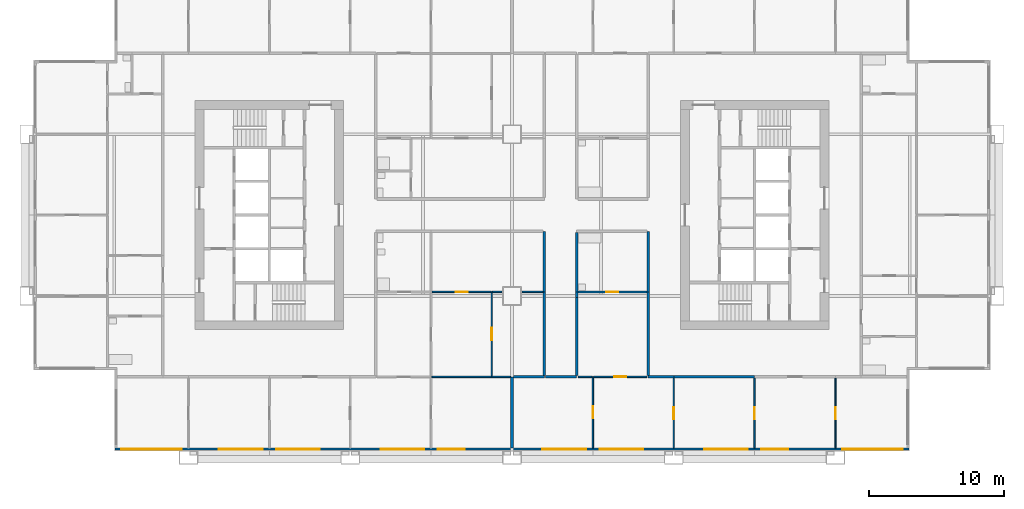
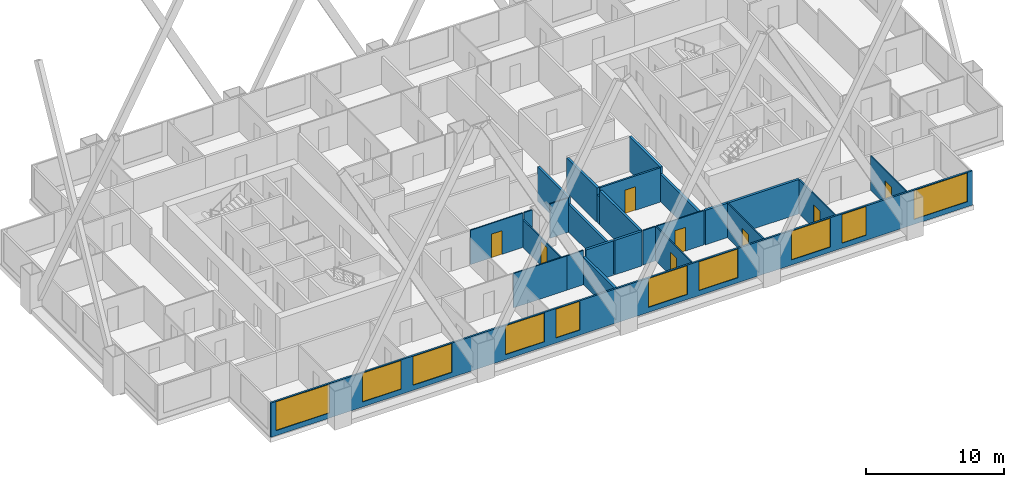
# One storey, part 5 of 11: 26 walls, 10 windows, 8 doors, 18 openings.
"""IFC4 building model written with IfcOpenShell, lengths in metres."""

from ifc_helpers import new_model, si_unit, direction, frame, frame_2d, origin, place, context, subcontext, project, spatial, rectangle, extrude, material, layer, layer_set, type_object, element, fill, save


model = new_model("IFC4")

# Units and contexts
model_context = context("Model", 3, precision=1e-05, world=origin(), true_north=direction((0.0, 1.0)))
body_context = subcontext(model_context, "Body", "Model", "MODEL_VIEW")
ifc_project = project(units=[si_unit("LENGTHUNIT", "METRE"), si_unit("AREAUNIT", "SQUARE_METRE"), si_unit("VOLUMEUNIT", "CUBIC_METRE"), si_unit("PLANEANGLEUNIT", "RADIAN"), si_unit("MASSUNIT", "GRAM", prefix="KILO")], contexts=[model_context])

# Site, building, storey
site_placement = place(None, origin())
site = spatial("IfcSite", under=ifc_project, at=site_placement, CompositionType="ELEMENT")
building_placement = place(site_placement, origin())
building = spatial("IfcBuilding", under=site, at=building_placement, Name="Kitamizu Gate Tower and Museum", CompositionType="ELEMENT")
storey_placement = place(building_placement, frame((0.0, 0.0, 131.10009765625)))
storey = spatial("IfcBuildingStorey", under=building, at=storey_placement, Name="L34", CompositionType="ELEMENT", Elevation=131.10009765625)

# Walls
ifc_material_1 = material(Name="Gypsum board on galvanised stud")
ifc_layer_1 = layer(ifc_material_1, 0.10009765625)
ifc_layer_set_1 = layer_set([ifc_layer_1], Name="Gypsum board on galvanised stud")
wall_type_1 = type_object("IfcWallType", Name="Partition 100 NOT RATED", PredefinedType="PARTITIONING", material=ifc_layer_set_1)
wall_1_placement = place(storey_placement, frame((34.5, 18.0, 0.0), z_axis=(0.0, 0.0, 1.0), x_axis=(-1.0, 0.0, 0.0)))
element("IfcWall", 1, at=wall_1_placement, inside=storey, type_object=wall_type_1, Name="Partition L34-011", PredefinedType="PARTITIONING", context=body_context, shape_type="SweptSolid", body=[
    extrude(rectangle(XDim=4.449951171875, YDim=0.10009765625, at=frame_2d((2.22509765625, 0.0))), origin(), (0.0, 0.0, 1.0), 3.0498046875),
])
wall_2_placement = place(storey_placement, frame((35.89990234375, 18.0, 0.0), z_axis=(0.0, 0.0, 1.0), x_axis=(-1.0, 0.0, 0.0)))
element("IfcWall", 2, at=wall_2_placement, inside=storey, type_object=wall_type_1, Name="Partition L34-012", PredefinedType="PARTITIONING", context=body_context, shape_type="SweptSolid", body=[
    extrude(rectangle(XDim=1.39990234375, YDim=0.10009765625, at=frame_2d((0.699951171875, 0.0))), origin(), (0.0, 0.0, 1.0), 3.0498046875),
])

# Wall, opening, door
wall_3_placement = place(storey_placement, frame((34.5, 18.050048828125, 0.0), z_axis=(0.0, 0.0, 1.0), x_axis=(0.0, 1.0, 0.0)))
wall_3 = element("IfcWall", 3, at=wall_3_placement, inside=storey, type_object=wall_type_1, Name="Partition L34-018", PredefinedType="PARTITIONING", context=body_context, shape_type="SweptSolid", body=[
    extrude(rectangle(XDim=6.25, YDim=0.10009765625, at=frame_2d((3.125, 0.0))), origin(), (0.0, 0.0, 1.0), 2.449951171875),
])
opening_1_placement = place(wall_3_placement, frame((2.675048828125, 0.0, 0.0)))
opening_1 = element("IfcOpeningElement", 4, at=opening_1_placement, cuts=wall_3, Name="Opening L34-009", PredefinedType="OPENING", context=body_context, shape_type="SweptSolid", body=[
    extrude(rectangle(XDim=0.89990234375, YDim=2.10009765625, at=frame_2d((0.449951171875, 1.050048828125))), frame((0.0, 0.06005859375, 0.0), z_axis=(0.0, -1.0, 0.0), x_axis=(1.0, 0.0, 0.0)), (0.0, 0.0, 1.0), 0.1201171875),
])
ifc_material_2 = material(Name="Timber door set", Category="wood")
door_type_1 = type_object("IfcDoorType", Name="Room door 900", OperationType="NOTDEFINED", PredefinedType="DOOR", material=ifc_material_2)
door_1_placement = place(opening_1_placement, frame((0.89990234375, 0.0, 0.0), x_axis=(-1.0, 0.0, 0.0)))
door_1 = element("IfcDoor", 5, at=door_1_placement, inside=storey, type_object=door_type_1, Name="Door L34-009", OperationType="SINGLE_SWING_LEFT", OverallHeight=2.10009765625, OverallWidth=0.89990234375, PredefinedType="DOOR", context=body_context, shape_type="SweptSolid", body=[
    extrude(rectangle(XDim=0.89990234375, YDim=2.10009765625, at=frame_2d((0.449951171875, 1.050048828125))), frame((0.0, 0.02490234375, 0.0), z_axis=(0.0, -1.0, 0.0), x_axis=(1.0, 0.0, 0.0)), (0.0, 0.0, 1.0), 0.050048828125),
])
fill(opening_1, door_1)

wall_4_placement = place(storey_placement, frame((34.449951171875, 24.300048828125, 0.0), z_axis=(0.0, 0.0, 1.0), x_axis=(-1.0, 0.0, 0.0)))
wall_4 = element("IfcWall", 6, at=wall_4_placement, inside=storey, type_object=wall_type_1, Name="Partition L34-019", PredefinedType="PARTITIONING", context=body_context, shape_type="SweptSolid", body=[
    extrude(rectangle(XDim=4.375, YDim=0.10009765625, at=frame_2d((2.1875, 0.0))), origin(), (0.0, 0.0, 1.0), 3.0498046875),
])
opening_2_placement = place(wall_4_placement, frame((1.737548828125, 0.0, 0.0)))
opening_2 = element("IfcOpeningElement", 7, at=opening_2_placement, cuts=wall_4, Name="Opening L34-010", PredefinedType="OPENING", context=body_context, shape_type="SweptSolid", body=[
    extrude(rectangle(XDim=0.89990234375, YDim=2.10009765625, at=frame_2d((0.449951171875, 1.050048828125))), frame((0.0, 0.06005859375, 0.0), z_axis=(0.0, -1.0, 0.0), x_axis=(1.0, 0.0, 0.0)), (0.0, 0.0, 1.0), 0.1201171875),
])
door_2_placement = place(opening_2_placement, origin())
door_2 = element("IfcDoor", 8, at=door_2_placement, inside=storey, type_object=door_type_1, Name="Door L34-010", OperationType="SINGLE_SWING_LEFT", OverallHeight=2.10009765625, OverallWidth=0.89990234375, PredefinedType="DOOR", context=body_context, shape_type="SweptSolid", body=[
    extrude(rectangle(XDim=0.89990234375, YDim=2.10009765625, at=frame_2d((0.449951171875, 1.050048828125))), frame((0.0, 0.02490234375, 0.0), z_axis=(0.0, -1.0, 0.0), x_axis=(1.0, 0.0, 0.0)), (0.0, 0.0, 1.0), 0.050048828125),
])
fill(opening_2, door_2)

# Walls
wall_5_placement = place(storey_placement, frame((35.25, 24.300048828125, 0.0), z_axis=(0.0, 0.0, 1.0), x_axis=(-1.0, 0.0, 0.0)))
element("IfcWall", 9, at=wall_5_placement, inside=storey, type_object=wall_type_1, Name="Partition L34-020", PredefinedType="PARTITIONING", context=body_context, shape_type="SweptSolid", body=[
    extrude(rectangle(XDim=0.699951171875, YDim=0.10009765625, at=frame_2d((0.35009765625, 0.0))), origin(), (0.0, 0.0, 1.0), 3.0498046875),
])
wall_6_placement = place(storey_placement, frame((38.300048828125, 24.300048828125, 0.0), z_axis=(0.0, 0.0, 1.0), x_axis=(-1.0, 0.0, 0.0)))
element("IfcWall", 10, at=wall_6_placement, inside=storey, type_object=wall_type_1, Name="Partition L34-021", PredefinedType="PARTITIONING", context=body_context, shape_type="SweptSolid", body=[
    extrude(rectangle(XDim=1.550048828125, YDim=0.10009765625, at=frame_2d((0.77490234375, 0.0))), origin(), (0.0, 0.0, 1.0), 3.0498046875),
])

# Wall, opening, door
wall_7_placement = place(storey_placement, frame((42.0, 12.719970703125, 0.0), z_axis=(0.0, 0.0, 1.0), x_axis=(0.0, 1.0, 0.0)))
wall_7 = element("IfcWall", 11, at=wall_7_placement, inside=storey, type_object=wall_type_1, Name="Partition L34-030", PredefinedType="PARTITIONING", context=body_context, shape_type="SweptSolid", body=[
    extrude(rectangle(XDim=5.280029296875, YDim=0.10009765625, at=frame_2d((2.64013671875, 0.0))), origin(), (0.0, 0.0, 1.0), 3.0498046875),
])
opening_3_placement = place(wall_7_placement, frame((2.18994140625, 0.0, 0.0)))
opening_3 = element("IfcOpeningElement", 12, at=opening_3_placement, cuts=wall_7, Name="Opening L34-017", PredefinedType="OPENING", context=body_context, shape_type="SweptSolid", body=[
    extrude(rectangle(XDim=0.89990234375, YDim=2.10009765625, at=frame_2d((0.449951171875, 1.050048828125))), frame((0.0, 0.06005859375, 0.0), z_axis=(0.0, -1.0, 0.0), x_axis=(1.0, 0.0, 0.0)), (0.0, 0.0, 1.0), 0.1201171875),
])
door_3_placement = place(opening_3_placement, origin())
door_3 = element("IfcDoor", 13, at=door_3_placement, inside=storey, type_object=door_type_1, Name="Door L34-017", OperationType="SINGLE_SWING_RIGHT", OverallHeight=2.10009765625, OverallWidth=0.89990234375, PredefinedType="DOOR", context=body_context, shape_type="SweptSolid", body=[
    extrude(rectangle(XDim=0.89990234375, YDim=2.10009765625, at=frame_2d((0.449951171875, 1.050048828125))), frame((0.0, 0.02490234375, 0.0), z_axis=(0.0, -1.0, 0.0), x_axis=(1.0, 0.0, 0.0)), (0.0, 0.0, 1.0), 0.050048828125),
])
fill(opening_3, door_3)

# Wall
wall_8_placement = place(storey_placement, frame((41.949951171875, 18.0, 0.0), z_axis=(0.0, 0.0, 1.0), x_axis=(-1.0, 0.0, 0.0)))
element("IfcWall", 14, at=wall_8_placement, inside=storey, type_object=wall_type_1, Name="Partition L34-031", PredefinedType="PARTITIONING", context=body_context, shape_type="SweptSolid", body=[
    extrude(rectangle(XDim=1.050048828125, YDim=0.10009765625, at=frame_2d((0.52490234375, 0.0))), origin(), (0.0, 0.0, 1.0), 3.0498046875),
])

# Wall, opening, door
wall_9_placement = place(storey_placement, frame((48.0, 12.719970703125, 0.0), z_axis=(0.0, 0.0, 1.0), x_axis=(0.0, 1.0, 0.0)))
wall_9 = element("IfcWall", 15, at=wall_9_placement, inside=storey, type_object=wall_type_1, Name="Partition L34-033", PredefinedType="PARTITIONING", context=body_context, shape_type="SweptSolid", body=[
    extrude(rectangle(XDim=5.179931640625, YDim=0.10009765625, at=frame_2d((2.58984375, 0.0))), origin(), (0.0, 0.0, 1.0), 3.0498046875),
])
opening_4_placement = place(wall_9_placement, frame((2.139892578125, 0.0, 0.0)))
opening_4 = element("IfcOpeningElement", 16, at=opening_4_placement, cuts=wall_9, Name="Opening L34-014", PredefinedType="OPENING", context=body_context, shape_type="SweptSolid", body=[
    extrude(rectangle(XDim=0.89990234375, YDim=2.10009765625, at=frame_2d((0.449951171875, 1.050048828125))), frame((0.0, 0.06005859375, 0.0), z_axis=(0.0, -1.0, 0.0), x_axis=(1.0, 0.0, 0.0)), (0.0, 0.0, 1.0), 0.1201171875),
])
door_4_placement = place(opening_4_placement, origin())
door_4 = element("IfcDoor", 17, at=door_4_placement, inside=storey, type_object=door_type_1, Name="Door L34-014", OperationType="SINGLE_SWING_LEFT", OverallHeight=2.10009765625, OverallWidth=0.89990234375, PredefinedType="DOOR", context=body_context, shape_type="SweptSolid", body=[
    extrude(rectangle(XDim=0.89990234375, YDim=2.10009765625, at=frame_2d((0.449951171875, 1.050048828125))), frame((0.0, 0.02490234375, 0.0), z_axis=(0.0, -1.0, 0.0), x_axis=(1.0, 0.0, 0.0)), (0.0, 0.0, 1.0), 0.050048828125),
])
fill(opening_4, door_4)

wall_10_placement = place(storey_placement, frame((46.0, 18.0, 0.0), z_axis=(0.0, 0.0, 1.0), x_axis=(-1.0, 0.0, 0.0)))
wall_10 = element("IfcWall", 18, at=wall_10_placement, inside=storey, type_object=wall_type_1, Name="Partition L34-034", PredefinedType="PARTITIONING", context=body_context, shape_type="SweptSolid", body=[
    extrude(rectangle(XDim=3.949951171875, YDim=0.10009765625, at=frame_2d((1.97509765625, 0.0))), origin(), (0.0, 0.0, 1.0), 3.0498046875),
])
opening_5_placement = place(wall_10_placement, frame((1.52490234375, 0.0, 0.0)))
opening_5 = element("IfcOpeningElement", 19, at=opening_5_placement, cuts=wall_10, Name="Opening L34-015", PredefinedType="OPENING", context=body_context, shape_type="SweptSolid", body=[
    extrude(rectangle(XDim=0.89990234375, YDim=2.10009765625, at=frame_2d((0.449951171875, 1.050048828125))), frame((0.0, 0.06005859375, 0.0), z_axis=(0.0, -1.0, 0.0), x_axis=(1.0, 0.0, 0.0)), (0.0, 0.0, 1.0), 0.1201171875),
])
door_5_placement = place(opening_5_placement, origin())
door_5 = element("IfcDoor", 20, at=door_5_placement, inside=storey, type_object=door_type_1, Name="Door L34-015", OperationType="SINGLE_SWING_RIGHT", OverallHeight=2.10009765625, OverallWidth=0.89990234375, PredefinedType="DOOR", context=body_context, shape_type="SweptSolid", body=[
    extrude(rectangle(XDim=0.89990234375, YDim=2.10009765625, at=frame_2d((0.449951171875, 1.050048828125))), frame((0.0, 0.02490234375, 0.0), z_axis=(0.0, -1.0, 0.0), x_axis=(1.0, 0.0, 0.0)), (0.0, 0.0, 1.0), 0.050048828125),
])
fill(opening_5, door_5)

wall_11_placement = place(storey_placement, frame((54.0, 12.719970703125, 0.0), z_axis=(0.0, 0.0, 1.0), x_axis=(0.0, 1.0, 0.0)))
wall_11 = element("IfcWall", 21, at=wall_11_placement, inside=storey, type_object=wall_type_1, Name="Partition L34-036", PredefinedType="PARTITIONING", context=body_context, shape_type="SweptSolid", body=[
    extrude(rectangle(XDim=5.179931640625, YDim=0.10009765625, at=frame_2d((2.58984375, 0.0))), origin(), (0.0, 0.0, 1.0), 3.0498046875),
])
opening_6_placement = place(wall_11_placement, frame((2.139892578125, 0.0, 0.0)))
opening_6 = element("IfcOpeningElement", 22, at=opening_6_placement, cuts=wall_11, Name="Opening L34-012", PredefinedType="OPENING", context=body_context, shape_type="SweptSolid", body=[
    extrude(rectangle(XDim=0.89990234375, YDim=2.10009765625, at=frame_2d((0.449951171875, 1.050048828125))), frame((0.0, 0.06005859375, 0.0), z_axis=(0.0, -1.0, 0.0), x_axis=(1.0, 0.0, 0.0)), (0.0, 0.0, 1.0), 0.1201171875),
])
door_6_placement = place(opening_6_placement, origin())
door_6 = element("IfcDoor", 23, at=door_6_placement, inside=storey, type_object=door_type_1, Name="Door L34-012", OperationType="SINGLE_SWING_LEFT", OverallHeight=2.10009765625, OverallWidth=0.89990234375, PredefinedType="DOOR", context=body_context, shape_type="SweptSolid", body=[
    extrude(rectangle(XDim=0.89990234375, YDim=2.10009765625, at=frame_2d((0.449951171875, 1.050048828125))), frame((0.0, 0.02490234375, 0.0), z_axis=(0.0, -1.0, 0.0), x_axis=(1.0, 0.0, 0.0)), (0.0, 0.0, 1.0), 0.050048828125),
])
fill(opening_6, door_6)

wall_12_placement = place(storey_placement, frame((60.0, 12.719970703125, 0.0), z_axis=(0.0, 0.0, 1.0), x_axis=(0.0, 1.0, 0.0)))
wall_12 = element("IfcWall", 24, at=wall_12_placement, inside=storey, type_object=wall_type_1, Name="Partition L34-038", PredefinedType="PARTITIONING", context=body_context, shape_type="SweptSolid", body=[
    extrude(rectangle(XDim=5.179931640625, YDim=0.10009765625, at=frame_2d((2.58984375, 0.0))), origin(), (0.0, 0.0, 1.0), 3.0498046875),
])
opening_7_placement = place(wall_12_placement, frame((2.139892578125, 0.0, 0.0)))
opening_7 = element("IfcOpeningElement", 25, at=opening_7_placement, cuts=wall_12, Name="Opening L34-013", PredefinedType="OPENING", context=body_context, shape_type="SweptSolid", body=[
    extrude(rectangle(XDim=0.89990234375, YDim=2.10009765625, at=frame_2d((0.449951171875, 1.050048828125))), frame((0.0, 0.06005859375, 0.0), z_axis=(0.0, -1.0, 0.0), x_axis=(1.0, 0.0, 0.0)), (0.0, 0.0, 1.0), 0.1201171875),
])
door_7_placement = place(opening_7_placement, frame((0.89990234375, 0.0, 0.0), x_axis=(-1.0, 0.0, 0.0)))
door_7 = element("IfcDoor", 26, at=door_7_placement, inside=storey, type_object=door_type_1, Name="Door L34-013", OperationType="SINGLE_SWING_LEFT", OverallHeight=2.10009765625, OverallWidth=0.89990234375, PredefinedType="DOOR", context=body_context, shape_type="SweptSolid", body=[
    extrude(rectangle(XDim=0.89990234375, YDim=2.10009765625, at=frame_2d((0.449951171875, 1.050048828125))), frame((0.0, 0.02490234375, 0.0), z_axis=(0.0, -1.0, 0.0), x_axis=(1.0, 0.0, 0.0)), (0.0, 0.0, 1.0), 0.050048828125),
])
fill(opening_7, door_7)

ifc_material_3 = material(Name="Gypsum board on galvanised stud")
ifc_layer_2 = layer(ifc_material_3, 0.14990234375)
ifc_layer_set_2 = layer_set([ifc_layer_2], Name="Gypsum board on galvanised stud")
wall_type_2 = type_object("IfcWallType", Name="Partition 150", PredefinedType="PARTITIONING", material=ifc_layer_set_2)
wall_13_placement = place(storey_placement, frame((46.0, 24.300048828125, 0.0), z_axis=(0.0, 0.0, 1.0), x_axis=(-1.0, 0.0, 0.0)))
wall_13 = element("IfcWall", 27, at=wall_13_placement, inside=storey, type_object=wall_type_2, Name="Partition L34-042", PredefinedType="PARTITIONING", context=body_context, shape_type="SweptSolid", body=[
    extrude(rectangle(XDim=5.10009765625, YDim=0.14990234375, at=frame_2d((2.550048828125, 0.0))), origin(), (0.0, 0.0, 1.0), 3.0498046875),
])
opening_8_placement = place(wall_13_placement, frame((2.10009765625, 0.0, 0.0)))
opening_8 = element("IfcOpeningElement", 28, at=opening_8_placement, cuts=wall_13, Name="Opening L34-016", PredefinedType="OPENING", context=body_context, shape_type="SweptSolid", body=[
    extrude(rectangle(XDim=0.89990234375, YDim=2.10009765625, at=frame_2d((0.449951171875, 1.050048828125))), frame((0.0, 0.0849609375, 0.0), z_axis=(0.0, -1.0, 0.0), x_axis=(1.0, 0.0, 0.0)), (0.0, 0.0, 1.0), 0.169921875),
])
ifc_material_4 = material(Name="Timber door set", Category="wood")
door_type_2 = type_object("IfcDoorType", Name="Bathroom door 900", OperationType="NOTDEFINED", PredefinedType="DOOR", material=ifc_material_4)
door_8_placement = place(opening_8_placement, frame((0.89990234375, 0.0, 0.0), x_axis=(-1.0, 0.0, 0.0)))
door_8 = element("IfcDoor", 29, at=door_8_placement, inside=storey, type_object=door_type_2, Name="Bathroom door L34-016", OperationType="SINGLE_SWING_RIGHT", OverallHeight=2.10009765625, OverallWidth=0.89990234375, PredefinedType="DOOR", context=body_context, shape_type="SweptSolid", body=[
    extrude(rectangle(XDim=0.89990234375, YDim=2.10009765625, at=frame_2d((0.449951171875, 1.050048828125))), frame((0.0, 0.02490234375, 0.0), z_axis=(0.0, -1.0, 0.0), x_axis=(1.0, 0.0, 0.0)), (0.0, 0.0, 1.0), 0.050048828125),
])
fill(opening_8, door_8)

# Walls
ifc_material_5 = material(Name="Gypsum board on galvanised stud")
ifc_layer_3 = layer(ifc_material_5, 0.199951171875)
ifc_layer_set_3 = layer_set([ifc_layer_3], Name="Gypsum board on galvanised stud")
wall_type_3 = type_object("IfcWallType", Name="Partition 200", PredefinedType="PARTITIONING", material=ifc_layer_set_3)
wall_14_placement = place(storey_placement, frame((36.0, 12.719970703125, 0.0), z_axis=(0.0, 0.0, 1.0), x_axis=(0.0, 1.0, 0.0)))
element("IfcWall", 30, at=wall_14_placement, inside=storey, type_object=wall_type_3, Name="Partition L34-013", PredefinedType="PARTITIONING", context=body_context, shape_type="SweptSolid", body=[
    extrude(rectangle(XDim=5.280029296875, YDim=0.199951171875, at=frame_2d((2.64013671875, 0.0))), origin(), (0.0, 0.0, 1.0), 2.449951171875),
])
wall_15_placement = place(storey_placement, frame((36.10009765625, 18.0, 0.0), z_axis=(0.0, 0.0, 1.0), x_axis=(1.0, 0.0, 0.0)))
element("IfcWall", 31, at=wall_15_placement, inside=storey, type_object=wall_type_3, Name="Partition L34-022", PredefinedType="PARTITIONING", context=body_context, shape_type="SweptSolid", body=[
    extrude(rectangle(XDim=2.2998046875, YDim=0.199951171875, at=frame_2d((1.14990234375, 0.0))), origin(), (0.0, 0.0, 1.0), 3.0498046875),
])
wall_16_placement = place(storey_placement, frame((38.39990234375, 18.10009765625, 0.0), z_axis=(0.0, 0.0, 1.0), x_axis=(0.0, 1.0, 0.0)))
element("IfcWall", 32, at=wall_16_placement, inside=storey, type_object=wall_type_3, Name="Partition L34-023", PredefinedType="PARTITIONING", context=body_context, shape_type="SweptSolid", body=[
    extrude(rectangle(XDim=6.199951171875, YDim=0.199951171875, at=frame_2d((3.10009765625, 0.0))), origin(), (0.0, 0.0, 1.0), 2.449951171875),
])
wall_17_placement = place(storey_placement, frame((38.39990234375, 24.300048828125, 0.0), z_axis=(0.0, 0.0, 1.0), x_axis=(0.0, 1.0, 0.0)))
element("IfcWall", 33, at=wall_17_placement, inside=storey, type_object=wall_type_3, Name="Partition L34-027", PredefinedType="PARTITIONING", context=body_context, shape_type="SweptSolid", body=[
    extrude(rectangle(XDim=4.5, YDim=0.199951171875, at=frame_2d((2.25, 0.0))), origin(), (0.0, 0.0, 1.0), 3.0498046875),
])
wall_18_placement = place(storey_placement, frame((40.800048828125, 18.0, 0.0), z_axis=(0.0, 0.0, 1.0), x_axis=(-1.0, 0.0, 0.0)))
element("IfcWall", 34, at=wall_18_placement, inside=storey, type_object=wall_type_3, Name="Partition L34-032", PredefinedType="PARTITIONING", context=body_context, shape_type="SweptSolid", body=[
    extrude(rectangle(XDim=2.300048828125, YDim=0.199951171875, at=frame_2d((1.14990234375, 0.0))), origin(), (0.0, 0.0, 1.0), 3.0498046875),
])
wall_19_placement = place(storey_placement, frame((48.0, 18.0, 0.0), z_axis=(0.0, 0.0, 1.0), x_axis=(-1.0, 0.0, 0.0)))
element("IfcWall", 35, at=wall_19_placement, inside=storey, type_object=wall_type_3, Name="Partition L34-035", PredefinedType="PARTITIONING", context=body_context, shape_type="SweptSolid", body=[
    extrude(rectangle(XDim=1.89990234375, YDim=0.199951171875, at=frame_2d((0.949951171875, 0.0))), origin(), (0.0, 0.0, 1.0), 3.0498046875),
])
wall_20_placement = place(storey_placement, frame((54.0, 18.0, 0.0), z_axis=(0.0, 0.0, 1.0), x_axis=(-1.0, 0.0, 0.0)))
element("IfcWall", 36, at=wall_20_placement, inside=storey, type_object=wall_type_3, Name="Partition L34-037", PredefinedType="PARTITIONING", context=body_context, shape_type="SweptSolid", body=[
    extrude(rectangle(XDim=6.0, YDim=0.199951171875, at=frame_2d((3.0, 0.0))), origin(), (0.0, 0.0, 1.0), 3.0498046875),
])
wall_21_placement = place(storey_placement, frame((40.800048828125, 24.300048828125, 0.0), z_axis=(0.0, 0.0, 1.0), x_axis=(0.0, -1.0, 0.0)))
element("IfcWall", 37, at=wall_21_placement, inside=storey, type_object=wall_type_3, Name="Partition L34-043", PredefinedType="PARTITIONING", context=body_context, shape_type="SweptSolid", body=[
    extrude(rectangle(XDim=0.400146484375, YDim=0.199951171875, at=frame_2d((0.2001953125, 0.0))), origin(), (0.0, 0.0, 1.0), 2.449951171875),
])
wall_22_placement = place(storey_placement, frame((40.800048828125, 23.89990234375, 0.0), z_axis=(0.0, 0.0, 1.0), x_axis=(0.0, -1.0, 0.0)))
element("IfcWall", 38, at=wall_22_placement, inside=storey, type_object=wall_type_3, Name="Partition L34-044", PredefinedType="PARTITIONING", context=body_context, shape_type="SweptSolid", body=[
    extrude(rectangle(XDim=5.7998046875, YDim=0.199951171875, at=frame_2d((2.89990234375, 0.0))), origin(), (0.0, 0.0, 1.0), 3.0498046875),
])
wall_23_placement = place(storey_placement, frame((46.10009765625, 18.10009765625, 0.0), z_axis=(0.0, 0.0, 1.0), x_axis=(0.0, 1.0, 0.0)))
element("IfcWall", 39, at=wall_23_placement, inside=storey, type_object=wall_type_3, Name="Partition L34-045", PredefinedType="PARTITIONING", context=body_context, shape_type="SweptSolid", body=[
    extrude(rectangle(XDim=6.199951171875, YDim=0.199951171875, at=frame_2d((3.10009765625, 0.0))), origin(), (0.0, 0.0, 1.0), 2.449951171875),
])
wall_24_placement = place(storey_placement, frame((46.10009765625, 24.300048828125, 0.0), z_axis=(0.0, 0.0, 1.0), x_axis=(0.0, 1.0, 0.0)))
element("IfcWall", 40, at=wall_24_placement, inside=storey, type_object=wall_type_3, Name="Partition L34-046", PredefinedType="PARTITIONING", context=body_context, shape_type="SweptSolid", body=[
    extrude(rectangle(XDim=4.5, YDim=0.199951171875, at=frame_2d((2.25, 0.0))), origin(), (0.0, 0.0, 1.0), 3.0498046875),
])
wall_25_placement = place(storey_placement, frame((40.800048828125, 28.699951171875, 0.0), z_axis=(0.0, 0.0, 1.0), x_axis=(0.0, -1.0, 0.0)))
element("IfcWall", 41, at=wall_25_placement, inside=storey, type_object=wall_type_3, Name="Partition L34-048", PredefinedType="PARTITIONING", context=body_context, shape_type="SweptSolid", body=[
    extrude(rectangle(XDim=4.39990234375, YDim=0.199951171875, at=frame_2d((2.199951171875, 0.0))), origin(), (0.0, 0.0, 1.0), 3.0498046875),
])

# Wall, openings, windows
ifc_material_6 = material(Name="Bronze anodised aluminium frame with insulated spandrel and tinted glass", Category="aluminium")
ifc_layer_4 = layer(ifc_material_6, 0.14990234375)
ifc_layer_set_4 = layer_set([ifc_layer_4], Name="Bronze anodised aluminium frame with insulated spandrel and tinted glass")
wall_type_4 = type_object("IfcWallType", Name="WINDOW WALL 150 BRONZE FRAME EI 30", PredefinedType="ELEMENTEDWALL", material=ifc_layer_set_4)
wall_26_placement = place(storey_placement, frame((6.56005859375, 12.635009765625, 0.0), z_axis=(0.0, 0.0, 1.0), x_axis=(1.0, 0.0, 0.0)))
wall_26 = element("IfcWall", 42, at=wall_26_placement, inside=storey, type_object=wall_type_4, Name="Window wall south L34", PredefinedType="ELEMENTEDWALL", context=body_context, shape_type="SweptSolid", body=[
    extrude(rectangle(XDim=58.8798828125, YDim=0.14990234375, at=frame_2d((29.43994140625, 0.0))), origin(), (0.0, 0.0, 1.0), 3.0498046875),
])
opening_9_placement = place(wall_26_placement, frame((0.43994140625, 0.0, 0.449951171875)))
opening_9 = element("IfcOpeningElement", 43, at=opening_9_placement, cuts=wall_26, Name="Opening W15", PredefinedType="OPENING", context=body_context, shape_type="SweptSolid", body=[
    extrude(rectangle(XDim=4.5, YDim=2.550048828125, at=frame_2d((2.25, 1.27490234375))), frame((0.0, 0.0849609375, 0.0), z_axis=(0.0, -1.0, 0.0), x_axis=(1.0, 0.0, 0.0)), (0.0, 0.0, 1.0), 0.169921875),
])
opening_10_placement = place(wall_26_placement, frame((7.68994140625, 0.0, 0.449951171875)))
opening_10 = element("IfcOpeningElement", 44, at=opening_10_placement, cuts=wall_26, Name="Opening W34", PredefinedType="OPENING", context=body_context, shape_type="SweptSolid", body=[
    extrude(rectangle(XDim=3.25, YDim=2.550048828125, at=frame_2d((1.625, 1.27490234375))), frame((0.0, 0.0849609375, 0.0), z_axis=(0.0, -1.0, 0.0), x_axis=(1.0, 0.0, 0.0)), (0.0, 0.0, 1.0), 0.169921875),
])
opening_11_placement = place(wall_26_placement, frame((11.93994140625, 0.0, 0.449951171875)))
opening_11 = element("IfcOpeningElement", 45, at=opening_11_placement, cuts=wall_26, Name="Opening W34", PredefinedType="OPENING", context=body_context, shape_type="SweptSolid", body=[
    extrude(rectangle(XDim=3.25, YDim=2.550048828125, at=frame_2d((1.625, 1.27490234375))), frame((0.0, 0.0849609375, 0.0), z_axis=(0.0, -1.0, 0.0), x_axis=(1.0, 0.0, 0.0)), (0.0, 0.0, 1.0), 0.169921875),
])
opening_12_placement = place(wall_26_placement, frame((19.68994140625, 0.0, 0.449951171875)))
opening_12 = element("IfcOpeningElement", 46, at=opening_12_placement, cuts=wall_26, Name="Opening W34", PredefinedType="OPENING", context=body_context, shape_type="SweptSolid", body=[
    extrude(rectangle(XDim=3.25, YDim=2.550048828125, at=frame_2d((1.625, 1.27490234375))), frame((0.0, 0.0849609375, 0.0), z_axis=(0.0, -1.0, 0.0), x_axis=(1.0, 0.0, 0.0)), (0.0, 0.0, 1.0), 0.169921875),
])
opening_13_placement = place(wall_26_placement, frame((23.93994140625, 0.0, 0.449951171875)))
opening_13 = element("IfcOpeningElement", 47, at=opening_13_placement, cuts=wall_26, Name="Opening W2", PredefinedType="OPENING", context=body_context, shape_type="SweptSolid", body=[
    extrude(rectangle(XDim=2.0, YDim=2.550048828125, at=frame_2d((1.0, 1.27490234375))), frame((0.0, 0.0849609375, 0.0), z_axis=(0.0, -1.0, 0.0), x_axis=(1.0, 0.0, 0.0)), (0.0, 0.0, 1.0), 0.169921875),
])
opening_14_placement = place(wall_26_placement, frame((31.68994140625, 0.0, 0.449951171875)))
opening_14 = element("IfcOpeningElement", 48, at=opening_14_placement, cuts=wall_26, Name="Opening W34", PredefinedType="OPENING", context=body_context, shape_type="SweptSolid", body=[
    extrude(rectangle(XDim=3.25, YDim=2.550048828125, at=frame_2d((1.625, 1.27490234375))), frame((0.0, 0.0849609375, 0.0), z_axis=(0.0, -1.0, 0.0), x_axis=(1.0, 0.0, 0.0)), (0.0, 0.0, 1.0), 0.169921875),
])
opening_15_placement = place(wall_26_placement, frame((35.93994140625, 0.0, 0.449951171875)))
opening_15 = element("IfcOpeningElement", 49, at=opening_15_placement, cuts=wall_26, Name="Opening W34", PredefinedType="OPENING", context=body_context, shape_type="SweptSolid", body=[
    extrude(rectangle(XDim=3.25, YDim=2.550048828125, at=frame_2d((1.625, 1.27490234375))), frame((0.0, 0.0849609375, 0.0), z_axis=(0.0, -1.0, 0.0), x_axis=(1.0, 0.0, 0.0)), (0.0, 0.0, 1.0), 0.169921875),
])
opening_16_placement = place(wall_26_placement, frame((43.68994140625, 0.0, 0.449951171875)))
opening_16 = element("IfcOpeningElement", 50, at=opening_16_placement, cuts=wall_26, Name="Opening W34", PredefinedType="OPENING", context=body_context, shape_type="SweptSolid", body=[
    extrude(rectangle(XDim=3.25, YDim=2.550048828125, at=frame_2d((1.625, 1.27490234375))), frame((0.0, 0.0849609375, 0.0), z_axis=(0.0, -1.0, 0.0), x_axis=(1.0, 0.0, 0.0)), (0.0, 0.0, 1.0), 0.169921875),
])
opening_17_placement = place(wall_26_placement, frame((47.93994140625, 0.0, 0.449951171875)))
opening_17 = element("IfcOpeningElement", 51, at=opening_17_placement, cuts=wall_26, Name="Opening W2", PredefinedType="OPENING", context=body_context, shape_type="SweptSolid", body=[
    extrude(rectangle(XDim=2.0, YDim=2.550048828125, at=frame_2d((1.0, 1.27490234375))), frame((0.0, 0.0849609375, 0.0), z_axis=(0.0, -1.0, 0.0), x_axis=(1.0, 0.0, 0.0)), (0.0, 0.0, 1.0), 0.169921875),
])
opening_18_placement = place(wall_26_placement, frame((53.93994140625, 0.0, 0.449951171875)))
opening_18 = element("IfcOpeningElement", 52, at=opening_18_placement, cuts=wall_26, Name="Opening W15", PredefinedType="OPENING", context=body_context, shape_type="SweptSolid", body=[
    extrude(rectangle(XDim=4.5, YDim=2.550048828125, at=frame_2d((2.25, 1.27490234375))), frame((0.0, 0.0849609375, 0.0), z_axis=(0.0, -1.0, 0.0), x_axis=(1.0, 0.0, 0.0)), (0.0, 0.0, 1.0), 0.169921875),
])
ifc_material_7 = material(Name="Bronze anodised aluminium frame, tinted triple glazing", Category="aluminium")
window_type_1 = type_object("IfcWindowType", Name="WINDOW 2000 x 2550 SILL 450", PartitioningType="SINGLE_PANEL", PredefinedType="WINDOW", material=ifc_material_7)
window_1_placement = place(opening_13_placement, origin())
window_1 = element("IfcWindow", 53, at=window_1_placement, inside=storey, type_object=window_type_1, Name="Window W2 L34", OverallHeight=2.550048828125, OverallWidth=2.0, PartitioningType="SINGLE_PANEL", PredefinedType="WINDOW", context=body_context, shape_type="SweptSolid", body=[
    extrude(rectangle(XDim=2.0, YDim=2.550048828125, at=frame_2d((1.0, 1.27490234375))), frame((0.0, 0.030029296875, 0.0), z_axis=(0.0, -1.0, 0.0), x_axis=(1.0, 0.0, 0.0)), (0.0, 0.0, 1.0), 0.06005859375),
])
fill(opening_13, window_1)
window_2_placement = place(opening_17_placement, origin())
window_2 = element("IfcWindow", 54, at=window_2_placement, inside=storey, type_object=window_type_1, Name="Window W2 L34", OverallHeight=2.550048828125, OverallWidth=2.0, PartitioningType="SINGLE_PANEL", PredefinedType="WINDOW", context=body_context, shape_type="SweptSolid", body=[
    extrude(rectangle(XDim=2.0, YDim=2.550048828125, at=frame_2d((1.0, 1.27490234375))), frame((0.0, 0.030029296875, 0.0), z_axis=(0.0, -1.0, 0.0), x_axis=(1.0, 0.0, 0.0)), (0.0, 0.0, 1.0), 0.06005859375),
])
fill(opening_17, window_2)
ifc_material_8 = material(Name="Bronze anodised aluminium frame, tinted triple glazing", Category="aluminium")
window_type_2 = type_object("IfcWindowType", Name="WINDOW 3250 x 2550 SILL 450", PartitioningType="SINGLE_PANEL", PredefinedType="WINDOW", material=ifc_material_8)
window_3_placement = place(opening_10_placement, origin())
window_3 = element("IfcWindow", 55, at=window_3_placement, inside=storey, type_object=window_type_2, Name="Window W34 L34", OverallHeight=2.550048828125, OverallWidth=3.25, PartitioningType="SINGLE_PANEL", PredefinedType="WINDOW", context=body_context, shape_type="SweptSolid", body=[
    extrude(rectangle(XDim=3.25, YDim=2.550048828125, at=frame_2d((1.625, 1.27490234375))), frame((0.0, 0.030029296875, 0.0), z_axis=(0.0, -1.0, 0.0), x_axis=(1.0, 0.0, 0.0)), (0.0, 0.0, 1.0), 0.06005859375),
])
fill(opening_10, window_3)
window_4_placement = place(opening_11_placement, origin())
window_4 = element("IfcWindow", 56, at=window_4_placement, inside=storey, type_object=window_type_2, Name="Window W34 L34", OverallHeight=2.550048828125, OverallWidth=3.25, PartitioningType="SINGLE_PANEL", PredefinedType="WINDOW", context=body_context, shape_type="SweptSolid", body=[
    extrude(rectangle(XDim=3.25, YDim=2.550048828125, at=frame_2d((1.625, 1.27490234375))), frame((0.0, 0.030029296875, 0.0), z_axis=(0.0, -1.0, 0.0), x_axis=(1.0, 0.0, 0.0)), (0.0, 0.0, 1.0), 0.06005859375),
])
fill(opening_11, window_4)
window_5_placement = place(opening_12_placement, origin())
window_5 = element("IfcWindow", 57, at=window_5_placement, inside=storey, type_object=window_type_2, Name="Window W34 L34", OverallHeight=2.550048828125, OverallWidth=3.25, PartitioningType="SINGLE_PANEL", PredefinedType="WINDOW", context=body_context, shape_type="SweptSolid", body=[
    extrude(rectangle(XDim=3.25, YDim=2.550048828125, at=frame_2d((1.625, 1.27490234375))), frame((0.0, 0.030029296875, 0.0), z_axis=(0.0, -1.0, 0.0), x_axis=(1.0, 0.0, 0.0)), (0.0, 0.0, 1.0), 0.06005859375),
])
fill(opening_12, window_5)
window_6_placement = place(opening_14_placement, origin())
window_6 = element("IfcWindow", 58, at=window_6_placement, inside=storey, type_object=window_type_2, Name="Window W34 L34", OverallHeight=2.550048828125, OverallWidth=3.25, PartitioningType="SINGLE_PANEL", PredefinedType="WINDOW", context=body_context, shape_type="SweptSolid", body=[
    extrude(rectangle(XDim=3.25, YDim=2.550048828125, at=frame_2d((1.625, 1.27490234375))), frame((0.0, 0.030029296875, 0.0), z_axis=(0.0, -1.0, 0.0), x_axis=(1.0, 0.0, 0.0)), (0.0, 0.0, 1.0), 0.06005859375),
])
fill(opening_14, window_6)
window_7_placement = place(opening_15_placement, origin())
window_7 = element("IfcWindow", 59, at=window_7_placement, inside=storey, type_object=window_type_2, Name="Window W34 L34", OverallHeight=2.550048828125, OverallWidth=3.25, PartitioningType="SINGLE_PANEL", PredefinedType="WINDOW", context=body_context, shape_type="SweptSolid", body=[
    extrude(rectangle(XDim=3.25, YDim=2.550048828125, at=frame_2d((1.625, 1.27490234375))), frame((0.0, 0.030029296875, 0.0), z_axis=(0.0, -1.0, 0.0), x_axis=(1.0, 0.0, 0.0)), (0.0, 0.0, 1.0), 0.06005859375),
])
fill(opening_15, window_7)
window_8_placement = place(opening_16_placement, origin())
window_8 = element("IfcWindow", 60, at=window_8_placement, inside=storey, type_object=window_type_2, Name="Window W34 L34", OverallHeight=2.550048828125, OverallWidth=3.25, PartitioningType="SINGLE_PANEL", PredefinedType="WINDOW", context=body_context, shape_type="SweptSolid", body=[
    extrude(rectangle(XDim=3.25, YDim=2.550048828125, at=frame_2d((1.625, 1.27490234375))), frame((0.0, 0.030029296875, 0.0), z_axis=(0.0, -1.0, 0.0), x_axis=(1.0, 0.0, 0.0)), (0.0, 0.0, 1.0), 0.06005859375),
])
fill(opening_16, window_8)
ifc_material_9 = material(Name="Bronze anodised aluminium frame, tinted triple glazing", Category="aluminium")
window_type_3 = type_object("IfcWindowType", Name="WINDOW 4500 x 2550 SILL 450", PartitioningType="SINGLE_PANEL", PredefinedType="WINDOW", material=ifc_material_9)
window_9_placement = place(opening_9_placement, origin())
window_9 = element("IfcWindow", 61, at=window_9_placement, inside=storey, type_object=window_type_3, Name="Window W15 L34", OverallHeight=2.550048828125, OverallWidth=4.5, PartitioningType="SINGLE_PANEL", PredefinedType="WINDOW", context=body_context, shape_type="SweptSolid", body=[
    extrude(rectangle(XDim=4.5, YDim=2.550048828125, at=frame_2d((2.25, 1.27490234375))), frame((0.0, 0.030029296875, 0.0), z_axis=(0.0, -1.0, 0.0), x_axis=(1.0, 0.0, 0.0)), (0.0, 0.0, 1.0), 0.06005859375),
])
fill(opening_9, window_9)
window_10_placement = place(opening_18_placement, origin())
window_10 = element("IfcWindow", 62, at=window_10_placement, inside=storey, type_object=window_type_3, Name="Window W15 L34", OverallHeight=2.550048828125, OverallWidth=4.5, PartitioningType="SINGLE_PANEL", PredefinedType="WINDOW", context=body_context, shape_type="SweptSolid", body=[
    extrude(rectangle(XDim=4.5, YDim=2.550048828125, at=frame_2d((2.25, 1.27490234375))), frame((0.0, 0.030029296875, 0.0), z_axis=(0.0, -1.0, 0.0), x_axis=(1.0, 0.0, 0.0)), (0.0, 0.0, 1.0), 0.06005859375),
])
fill(opening_18, window_10)

save(model, "model.ifc")
